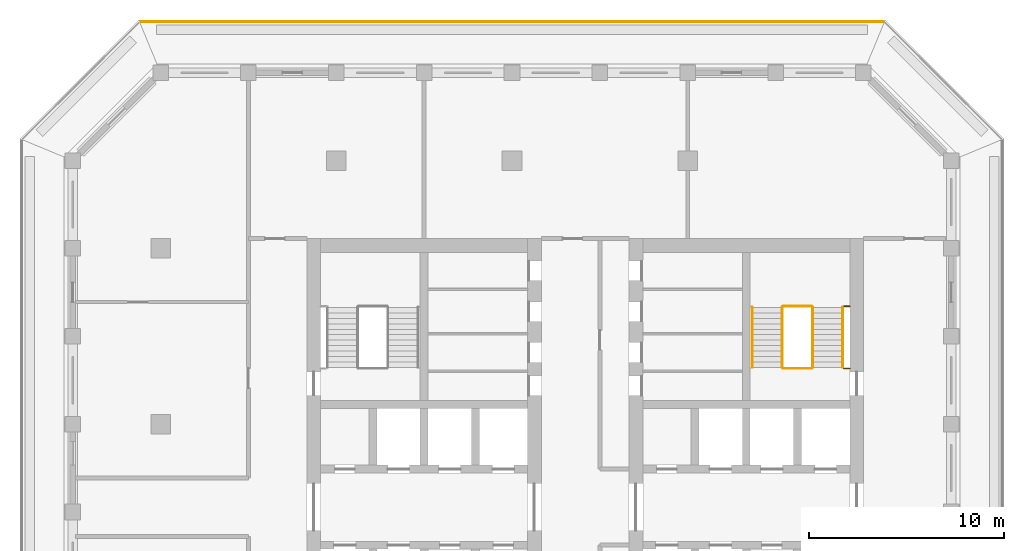
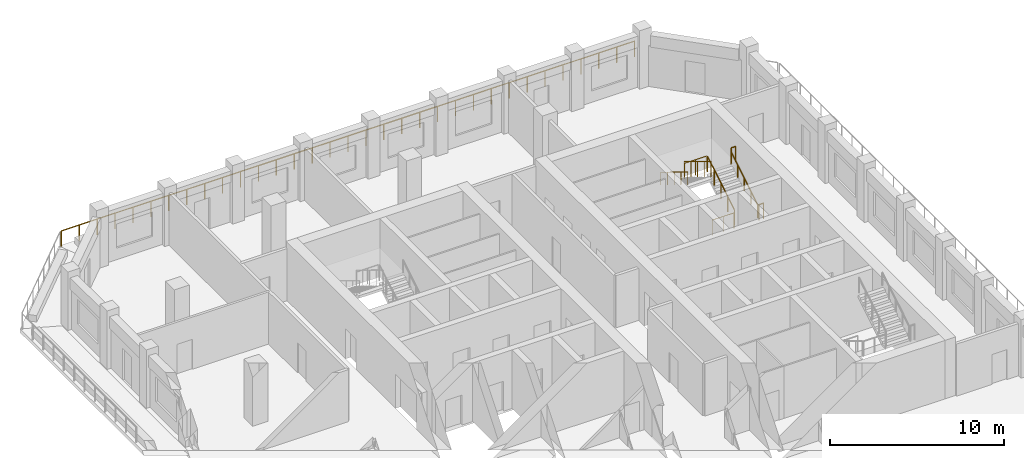
# One storey, part 12 of 14: 9 railings.
"""IFC4 building model written with IfcOpenShell, lengths in metres."""

from ifc_helpers import new_model, si_unit, direction, frame, origin, origin_2d, place, context, subcontext, project, spatial, circle, extrude, material, type_object, element, save


model = new_model("IFC4")

# Units and contexts
model_context = context("Model", 3, precision=1e-05, world=origin(), true_north=direction((0.0, 1.0)))
body_context = subcontext(model_context, "Body", "Model", "MODEL_VIEW")
ifc_project = project(units=[si_unit("LENGTHUNIT", "METRE"), si_unit("AREAUNIT", "SQUARE_METRE"), si_unit("VOLUMEUNIT", "CUBIC_METRE"), si_unit("PLANEANGLEUNIT", "RADIAN"), si_unit("MASSUNIT", "GRAM", prefix="KILO")], contexts=[model_context])

# Site, building, storey
site_placement = place(None, origin())
site = spatial("IfcSite", under=ifc_project, at=site_placement, CompositionType="ELEMENT")
building_placement = place(site_placement, origin())
building = spatial("IfcBuilding", under=site, at=building_placement, Name="Corbel Stack Research Tower", CompositionType="ELEMENT")
storey_placement = place(building_placement, frame((0.0, 0.0, 278.60009765625)))
storey = spatial("IfcBuildingStorey", under=building, at=storey_placement, Name="L63", CompositionType="ELEMENT", Elevation=278.60009765625)

# Railings
ifc_material_1 = material(Name="Steel S355", Category="steel")
railing_type_1 = type_object("IfcRailingType", Name="Stair guard 1100", PredefinedType="GUARDRAIL", material=ifc_material_1)
railing_1_placement = place(storey_placement, frame((15.39990234375, 11.89990234375, 0.170654296875)))
element("IfcRailing", 1, at=railing_1_placement, inside=storey, type_object=railing_type_1, Name="L63 ST-E2 stair guard 1", PredefinedType="GUARDRAIL", context=body_context, shape_type="SweptSolid", body=[
    extrude(circle(Radius=0.02392578125, at=origin_2d()), frame((0.0, 0.0, 1.076171875), z_axis=(0.0, 0.853666305674, 0.52082035152), x_axis=(-1.0, 0.0, 0.0)), (0.0, 0.0, 1.0), 3.608154296875),
    extrude(circle(Radius=0.02099609375, at=origin_2d()), origin(), (0.0, 0.0, 1.0), 1.052001953125),
    extrude(circle(Radius=0.02099609375, at=origin_2d()), frame((0.0, 0.77001953125, 0.4697265625)), (0.0, 0.0, 1.0), 1.052001953125),
    extrude(circle(Radius=0.02099609375, at=origin_2d()), frame((0.0, 1.5400390625, 0.939453125)), (0.0, 0.0, 1.0), 1.052001953125),
    extrude(circle(Radius=0.02099609375, at=origin_2d()), frame((0.0, 2.31005859375, 1.409423828125)), (0.0, 0.0, 1.0), 1.052001953125),
    extrude(circle(Radius=0.02099609375, at=origin_2d()), frame((0.0, 3.080078125, 1.879150390625)), (0.0, 0.0, 1.0), 1.052001953125),
])
railing_2_placement = place(storey_placement, frame((15.35009765625, 15.030029296875, 2.0498046875)))
element("IfcRailing", 2, at=railing_2_placement, inside=storey, type_object=railing_type_1, Name="L63 ST-E2 stair guard 2", PredefinedType="GUARDRAIL", context=body_context, shape_type="SweptSolid", body=[
    extrude(circle(Radius=0.02392578125, at=origin_2d()), frame((0.0, 0.0, 1.076171875), z_axis=(-1.0, 0.0, 0.0), x_axis=(0.0, -1.0, 0.0)), (0.0, 0.0, 1.0), 1.4501953125),
    extrude(circle(Radius=0.02099609375, at=origin_2d()), origin(), (0.0, 0.0, 1.0), 1.052001953125),
    extrude(circle(Radius=0.02099609375, at=origin_2d()), frame((-0.72509765625, 0.0, 0.0)), (0.0, 0.0, 1.0), 1.052001953125),
    extrude(circle(Radius=0.02099609375, at=origin_2d()), frame((-1.4501953125, 0.0, 0.0)), (0.0, 0.0, 1.0), 1.052001953125),
])
railing_3_placement = place(storey_placement, frame((17.300048828125, 15.030029296875, 2.0498046875)))
element("IfcRailing", 3, at=railing_3_placement, inside=storey, type_object=railing_type_1, Name="L63 ST-E2 stair guard 3", PredefinedType="GUARDRAIL", context=body_context, shape_type="SweptSolid", body=[
    extrude(circle(Radius=0.02392578125, at=origin_2d()), frame((0.0, 0.0, 1.076171875), z_axis=(-1.0, 0.0, 0.0), x_axis=(0.0, -1.0, 0.0)), (0.0, 0.0, 1.0), 0.300048828125),
    extrude(circle(Radius=0.02099609375, at=origin_2d()), origin(), (0.0, 0.0, 1.0), 1.052001953125),
    extrude(circle(Radius=0.02099609375, at=origin_2d()), frame((-0.300048828125, 0.0, 0.0)), (0.0, 0.0, 1.0), 1.052001953125),
])
railing_4_placement = place(storey_placement, frame((13.85009765625, 14.97998046875, 2.220703125)))
element("IfcRailing", 4, at=railing_4_placement, inside=storey, type_object=railing_type_1, Name="L63 ST-E2 stair guard 4", PredefinedType="GUARDRAIL", context=body_context, shape_type="SweptSolid", body=[
    extrude(circle(Radius=0.02392578125, at=origin_2d()), frame((0.0, 0.0, 1.076171875), z_axis=(0.0, -0.853666305674, 0.52082035152), x_axis=(1.0, 0.0, 0.0)), (0.0, 0.0, 1.0), 3.608154296875),
    extrude(circle(Radius=0.02099609375, at=origin_2d()), origin(), (0.0, 0.0, 1.0), 1.052001953125),
    extrude(circle(Radius=0.02099609375, at=origin_2d()), frame((0.0, -0.77001953125, 0.4697265625)), (0.0, 0.0, 1.0), 1.052001953125),
    extrude(circle(Radius=0.02099609375, at=origin_2d()), frame((0.0, -1.5400390625, 0.939453125)), (0.0, 0.0, 1.0), 1.052001953125),
    extrude(circle(Radius=0.02099609375, at=origin_2d()), frame((0.0, -2.31005859375, 1.409423828125)), (0.0, 0.0, 1.0), 1.052001953125),
    extrude(circle(Radius=0.02099609375, at=origin_2d()), frame((0.0, -3.080078125, 1.879150390625)), (0.0, 0.0, 1.0), 1.052001953125),
])
railing_5_placement = place(storey_placement, frame((15.35009765625, 11.85009765625, 0.0)))
element("IfcRailing", 5, at=railing_5_placement, inside=storey, type_object=railing_type_1, Name="L63 ST-E2 stair guard 5", PredefinedType="GUARDRAIL", context=body_context, shape_type="SweptSolid", body=[
    extrude(circle(Radius=0.02392578125, at=origin_2d()), frame((0.0, 0.0, 1.076171875), z_axis=(-1.0, 0.0, 0.0), x_axis=(0.0, -1.0, 0.0)), (0.0, 0.0, 1.0), 1.4501953125),
    extrude(circle(Radius=0.02099609375, at=origin_2d()), origin(), (0.0, 0.0, 1.0), 1.052001953125),
    extrude(circle(Radius=0.02099609375, at=origin_2d()), frame((-0.72509765625, 0.0, 0.0)), (0.0, 0.0, 1.0), 1.052001953125),
    extrude(circle(Radius=0.02099609375, at=origin_2d()), frame((-1.4501953125, 0.0, 0.0)), (0.0, 0.0, 1.0), 1.052001953125),
])
railing_6_placement = place(storey_placement, frame((17.300048828125, 11.85009765625, 0.0)))
element("IfcRailing", 6, at=railing_6_placement, inside=storey, type_object=railing_type_1, Name="L63 ST-E2 stair guard 6", PredefinedType="GUARDRAIL", context=body_context, shape_type="SweptSolid", body=[
    extrude(circle(Radius=0.02392578125, at=origin_2d()), frame((0.0, 0.0, 1.076171875), z_axis=(-1.0, 0.0, 0.0), x_axis=(0.0, -1.0, 0.0)), (0.0, 0.0, 1.0), 0.300048828125),
    extrude(circle(Radius=0.02099609375, at=origin_2d()), origin(), (0.0, 0.0, 1.0), 1.052001953125),
    extrude(circle(Radius=0.02099609375, at=origin_2d()), frame((-0.300048828125, 0.0, 0.0)), (0.0, 0.0, 1.0), 1.052001953125),
])
ifc_material_2 = material(Name="Steel S355", Category="steel")
railing_type_2 = type_object("IfcRailingType", Name="Stair handrail 900", PredefinedType="HANDRAIL", material=ifc_material_2)
railing_7_placement = place(storey_placement, frame((16.949951171875, 11.89990234375, 0.170654296875)))
element("IfcRailing", 7, at=railing_7_placement, inside=storey, type_object=railing_type_2, Name="L63 ST-E2 stair handrail 1", PredefinedType="HANDRAIL", context=body_context, shape_type="SweptSolid", body=[
    extrude(circle(Radius=0.02392578125, at=origin_2d()), frame((0.0, 0.0, 0.8759765625), z_axis=(0.0, 0.853666305674, 0.52082035152), x_axis=(-1.0, 0.0, 0.0)), (0.0, 0.0, 1.0), 3.608154296875),
    extrude(circle(Radius=0.02099609375, at=origin_2d()), origin(), (0.0, 0.0, 1.0), 0.851806640625),
    extrude(circle(Radius=0.02099609375, at=origin_2d()), frame((0.0, 0.77001953125, 0.4697265625)), (0.0, 0.0, 1.0), 0.851806640625),
    extrude(circle(Radius=0.02099609375, at=origin_2d()), frame((0.0, 1.5400390625, 0.939453125)), (0.0, 0.0, 1.0), 0.851806640625),
    extrude(circle(Radius=0.02099609375, at=origin_2d()), frame((0.0, 2.31005859375, 1.409423828125)), (0.0, 0.0, 1.0), 0.851806640625),
    extrude(circle(Radius=0.02099609375, at=origin_2d()), frame((0.0, 3.080078125, 1.879150390625)), (0.0, 0.0, 1.0), 0.851806640625),
])
railing_8_placement = place(storey_placement, frame((12.300048828125, 14.97998046875, 2.220703125)))
element("IfcRailing", 8, at=railing_8_placement, inside=storey, type_object=railing_type_2, Name="L63 ST-E2 stair handrail 2", PredefinedType="HANDRAIL", context=body_context, shape_type="SweptSolid", body=[
    extrude(circle(Radius=0.02392578125, at=origin_2d()), frame((0.0, 0.0, 0.8759765625), z_axis=(0.0, -0.853666305674, 0.52082035152), x_axis=(1.0, 0.0, 0.0)), (0.0, 0.0, 1.0), 3.608154296875),
    extrude(circle(Radius=0.02099609375, at=origin_2d()), origin(), (0.0, 0.0, 1.0), 0.851806640625),
    extrude(circle(Radius=0.02099609375, at=origin_2d()), frame((0.0, -0.77001953125, 0.4697265625)), (0.0, 0.0, 1.0), 0.851806640625),
    extrude(circle(Radius=0.02099609375, at=origin_2d()), frame((0.0, -1.5400390625, 0.939453125)), (0.0, 0.0, 1.0), 0.851806640625),
    extrude(circle(Radius=0.02099609375, at=origin_2d()), frame((0.0, -2.31005859375, 1.409423828125)), (0.0, 0.0, 1.0), 0.851806640625),
    extrude(circle(Radius=0.02099609375, at=origin_2d()), frame((0.0, -3.080078125, 1.879150390625)), (0.0, 0.0, 1.0), 0.851806640625),
])
ifc_material_3 = material(Name="Powder-coated steel guard", Category="steel")
railing_type_3 = type_object("IfcRailingType", Name="Steel and glass guard 1100", PredefinedType="GUARDRAIL", material=ifc_material_3)
railing_9_placement = place(storey_placement, frame((19.00537109375, 29.60009765625, 0.0)))
element("IfcRailing", 9, at=railing_9_placement, inside=storey, type_object=railing_type_3, Name="Loggia guard L63 N", PredefinedType="GUARDRAIL", context=body_context, shape_type="SweptSolid", body=[
    extrude(circle(Radius=0.02392578125, at=origin_2d()), frame((0.0, 0.0, 1.076171875), z_axis=(-1.0, 0.0, 0.0), x_axis=(0.0, -1.0, 0.0)), (0.0, 0.0, 1.0), 38.0107421875),
    extrude(circle(Radius=0.02099609375, at=origin_2d()), origin(), (0.0, 0.0, 1.0), 1.052001953125),
    extrude(circle(Radius=0.02099609375, at=origin_2d()), frame((-1.187744140625, 0.0, 0.0)), (0.0, 0.0, 1.0), 1.052001953125),
    extrude(circle(Radius=0.02099609375, at=origin_2d()), frame((-2.375732421875, 0.0, 0.0)), (0.0, 0.0, 1.0), 1.052001953125),
    extrude(circle(Radius=0.02099609375, at=origin_2d()), frame((-3.5634765625, 0.0, 0.0)), (0.0, 0.0, 1.0), 1.052001953125),
    extrude(circle(Radius=0.02099609375, at=origin_2d()), frame((-4.75146484375, 0.0, 0.0)), (0.0, 0.0, 1.0), 1.052001953125),
    extrude(circle(Radius=0.02099609375, at=origin_2d()), frame((-5.939208984375, 0.0, 0.0)), (0.0, 0.0, 1.0), 1.052001953125),
    extrude(circle(Radius=0.02099609375, at=origin_2d()), frame((-7.126953125, 0.0, 0.0)), (0.0, 0.0, 1.0), 1.052001953125),
    extrude(circle(Radius=0.02099609375, at=origin_2d()), frame((-8.31494140625, 0.0, 0.0)), (0.0, 0.0, 1.0), 1.052001953125),
    extrude(circle(Radius=0.02099609375, at=origin_2d()), frame((-9.502685546875, 0.0, 0.0)), (0.0, 0.0, 1.0), 1.052001953125),
    extrude(circle(Radius=0.02099609375, at=origin_2d()), frame((-10.6904296875, 0.0, 0.0)), (0.0, 0.0, 1.0), 1.052001953125),
    extrude(circle(Radius=0.02099609375, at=origin_2d()), frame((-11.87841796875, 0.0, 0.0)), (0.0, 0.0, 1.0), 1.052001953125),
    extrude(circle(Radius=0.02099609375, at=origin_2d()), frame((-13.066162109375, 0.0, 0.0)), (0.0, 0.0, 1.0), 1.052001953125),
    extrude(circle(Radius=0.02099609375, at=origin_2d()), frame((-14.25390625, 0.0, 0.0)), (0.0, 0.0, 1.0), 1.052001953125),
    extrude(circle(Radius=0.02099609375, at=origin_2d()), frame((-15.44189453125, 0.0, 0.0)), (0.0, 0.0, 1.0), 1.052001953125),
    extrude(circle(Radius=0.02099609375, at=origin_2d()), frame((-16.629638671875, 0.0, 0.0)), (0.0, 0.0, 1.0), 1.052001953125),
    extrude(circle(Radius=0.02099609375, at=origin_2d()), frame((-17.817626953125, 0.0, 0.0)), (0.0, 0.0, 1.0), 1.052001953125),
    extrude(circle(Radius=0.02099609375, at=origin_2d()), frame((-19.00537109375, 0.0, 0.0)), (0.0, 0.0, 1.0), 1.052001953125),
    extrude(circle(Radius=0.02099609375, at=origin_2d()), frame((-20.193115234375, 0.0, 0.0)), (0.0, 0.0, 1.0), 1.052001953125),
    extrude(circle(Radius=0.02099609375, at=origin_2d()), frame((-21.381103515625, 0.0, 0.0)), (0.0, 0.0, 1.0), 1.052001953125),
    extrude(circle(Radius=0.02099609375, at=origin_2d()), frame((-22.56884765625, 0.0, 0.0)), (0.0, 0.0, 1.0), 1.052001953125),
    extrude(circle(Radius=0.02099609375, at=origin_2d()), frame((-23.7568359375, 0.0, 0.0)), (0.0, 0.0, 1.0), 1.052001953125),
    extrude(circle(Radius=0.02099609375, at=origin_2d()), frame((-24.944580078125, 0.0, 0.0)), (0.0, 0.0, 1.0), 1.052001953125),
    extrude(circle(Radius=0.02099609375, at=origin_2d()), frame((-26.13232421875, 0.0, 0.0)), (0.0, 0.0, 1.0), 1.052001953125),
    extrude(circle(Radius=0.02099609375, at=origin_2d()), frame((-27.3203125, 0.0, 0.0)), (0.0, 0.0, 1.0), 1.052001953125),
    extrude(circle(Radius=0.02099609375, at=origin_2d()), frame((-28.508056640625, 0.0, 0.0)), (0.0, 0.0, 1.0), 1.052001953125),
    extrude(circle(Radius=0.02099609375, at=origin_2d()), frame((-29.69580078125, 0.0, 0.0)), (0.0, 0.0, 1.0), 1.052001953125),
    extrude(circle(Radius=0.02099609375, at=origin_2d()), frame((-30.8837890625, 0.0, 0.0)), (0.0, 0.0, 1.0), 1.052001953125),
    extrude(circle(Radius=0.02099609375, at=origin_2d()), frame((-32.071533203125, 0.0, 0.0)), (0.0, 0.0, 1.0), 1.052001953125),
    extrude(circle(Radius=0.02099609375, at=origin_2d()), frame((-33.25927734375, 0.0, 0.0)), (0.0, 0.0, 1.0), 1.052001953125),
    extrude(circle(Radius=0.02099609375, at=origin_2d()), frame((-34.447265625, 0.0, 0.0)), (0.0, 0.0, 1.0), 1.052001953125),
    extrude(circle(Radius=0.02099609375, at=origin_2d()), frame((-35.635009765625, 0.0, 0.0)), (0.0, 0.0, 1.0), 1.052001953125),
    extrude(circle(Radius=0.02099609375, at=origin_2d()), frame((-36.822998046875, 0.0, 0.0)), (0.0, 0.0, 1.0), 1.052001953125),
    extrude(circle(Radius=0.02099609375, at=origin_2d()), frame((-38.0107421875, 0.0, 0.0)), (0.0, 0.0, 1.0), 1.052001953125),
])

save(model, "model.ifc")
